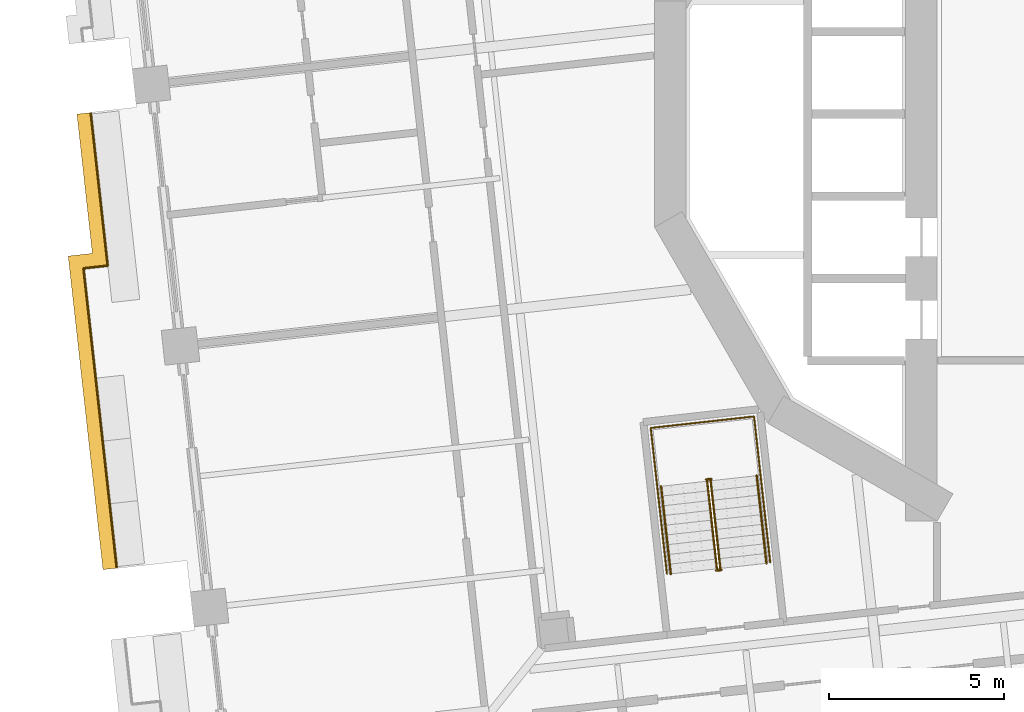
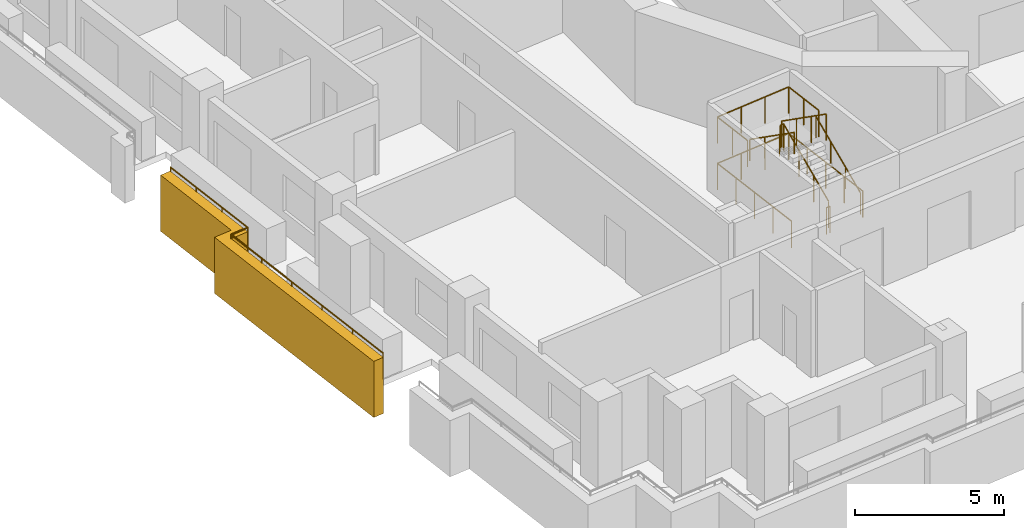
# One storey, part 12 of 18: 8 railings, 1 covering.
"""IFC4 building model written with IfcOpenShell, lengths in metres."""

from ifc_helpers import new_model, si_unit, direction, frame, origin, origin_2d, place, context, subcontext, project, spatial, polyline, circle, outline, extrude, material, type_object, element, save


model = new_model("IFC4")

# Units and contexts
model_context = context("Model", 3, precision=1e-05, world=origin(), true_north=direction((0.0, 1.0)))
body_context = subcontext(model_context, "Body", "Model", "MODEL_VIEW")
ifc_project = project(units=[si_unit("LENGTHUNIT", "METRE"), si_unit("AREAUNIT", "SQUARE_METRE"), si_unit("VOLUMEUNIT", "CUBIC_METRE"), si_unit("PLANEANGLEUNIT", "RADIAN"), si_unit("MASSUNIT", "GRAM", prefix="KILO")], contexts=[model_context])

# Site, building, storey
site_placement = place(None, origin())
site = spatial("IfcSite", under=ifc_project, at=site_placement, CompositionType="ELEMENT")
building_placement = place(site_placement, origin())
building = spatial("IfcBuilding", under=site, at=building_placement, Name="Cantera Rosa Tower", CompositionType="ELEMENT")
storey_placement = place(building_placement, frame((0.0, 0.0, 76.699951171875)))
storey = spatial("IfcBuildingStorey", under=building, at=storey_placement, Name="L16", CompositionType="ELEMENT", Elevation=76.699951171875)

# Railings
ifc_material_1 = material(Name="Stainless steel and laminated glass", Category="steel")
railing_type_1 = type_object("IfcRailingType", Name="GUARD 1100", PredefinedType="BALUSTRADE", material=ifc_material_1)
railing_1_placement = place(storey_placement, frame((-27.44482421875, -12.95654296875, 0.0)))
element("IfcRailing", 1, at=railing_1_placement, inside=storey, type_object=railing_type_1, Name="GUARD L16-2", PredefinedType="BALUSTRADE", context=body_context, shape_type="SweptSolid", body=[
    extrude(circle(Radius=0.030029296875, at=origin_2d()), frame((0.0, 0.0, 1.070068359375), z_axis=(-0.110306840876, 0.993897580667, 0.0), x_axis=(-0.993897580667, -0.110306840876, 0.0)), (0.0, 0.0, 1.0), 8.596435546875),
    extrude(circle(Radius=0.030029296875, at=origin_2d()), frame((-0.9482421875, 8.5439453125, 1.070068359375), z_axis=(0.993866597574, 0.11058565109, 0.0), x_axis=(-0.11058565109, 0.993866597574, 0.0)), (0.0, 0.0, 1.0), 0.6953125),
    extrude(circle(Radius=0.030029296875, at=origin_2d()), frame((-0.257080078125, 8.620849609375, 1.070068359375), z_axis=(-0.110333717982, 0.993894597368, 0.0), x_axis=(-0.993894597368, -0.110333717982, 0.0)), (0.0, 0.0, 1.0), 4.383544921875),
    extrude(circle(Radius=0.02490234375, at=origin_2d()), origin(), (0.0, 0.0, 1.0), 1.0400390625),
    extrude(circle(Radius=0.02490234375, at=origin_2d()), frame((-0.189697265625, 1.708740234375, 0.0)), (0.0, 0.0, 1.0), 1.0400390625),
    extrude(circle(Radius=0.02490234375, at=origin_2d()), frame((-0.37939453125, 3.41748046875, 0.0)), (0.0, 0.0, 1.0), 1.0400390625),
    extrude(circle(Radius=0.02490234375, at=origin_2d()), frame((-0.56884765625, 5.12646484375, 0.0)), (0.0, 0.0, 1.0), 1.0400390625),
    extrude(circle(Radius=0.02490234375, at=origin_2d()), frame((-0.758544921875, 6.835205078125, 0.0)), (0.0, 0.0, 1.0), 1.0400390625),
    extrude(circle(Radius=0.02490234375, at=origin_2d()), frame((-0.9482421875, 8.5439453125, 0.0)), (0.0, 0.0, 1.0), 1.0400390625),
    extrude(circle(Radius=0.02490234375, at=origin_2d()), frame((-0.257080078125, 8.620849609375, 0.0)), (0.0, 0.0, 1.0), 1.0400390625),
    extrude(circle(Radius=0.02490234375, at=origin_2d()), frame((-0.418212890625, 10.072998046875, 0.0)), (0.0, 0.0, 1.0), 1.0400390625),
    extrude(circle(Radius=0.02490234375, at=origin_2d()), frame((-0.57958984375, 11.525390625, 0.0)), (0.0, 0.0, 1.0), 1.0400390625),
    extrude(circle(Radius=0.02490234375, at=origin_2d()), frame((-0.74072265625, 12.9775390625, 0.0)), (0.0, 0.0, 1.0), 1.0400390625),
])
ifc_material_2 = material(Name="Steel S355J2 (EN 10025-2)", Category="steel")
railing_type_2 = type_object("IfcRailingType", Name="STAIR GUARD 1100", PredefinedType="GUARDRAIL", material=ifc_material_2)
railing_2_placement = place(storey_placement, frame((-10.19677734375, -12.986083984375, 0.18994140625)))
element("IfcRailing", 2, at=railing_2_placement, inside=storey, type_object=railing_type_2, Name="L16 ST-13 stair guard 1", PredefinedType="GUARDRAIL", context=body_context, shape_type="SweptSolid", body=[
    extrude(circle(Radius=0.02392578125, at=origin_2d()), frame((0.0, 0.0, 1.076171875), z_axis=(-0.091305890215, 0.822394317572, 0.561543249302), x_axis=(-0.993893182753, -0.110346460196, 0.0)), (0.0, 0.0, 1.0), 3.045654296875),
    extrude(circle(Radius=0.02392578125, at=origin_2d()), frame((-0.278076171875, 2.504638671875, 2.7861328125), z_axis=(0.360141847183, 0.932897555956, 0.0), x_axis=(-0.932897555956, 0.360141847183, 0.0)), (0.0, 0.0, 1.0), 0.05615234375),
    extrude(circle(Radius=0.02392578125, at=origin_2d()), frame((-0.2578125, 2.55712890625, 2.7861328125), z_axis=(-0.994022053584, -0.109179471459, 0.0), x_axis=(0.109179471459, -0.994022053584, 0.0)), (0.0, 0.0, 1.0), 0.14990234375),
    extrude(circle(Radius=0.02099609375, at=origin_2d()), origin(), (0.0, 0.0, 1.0), 1.052001953125),
    extrude(circle(Radius=0.02099609375, at=origin_2d()), frame((-0.0927734375, 0.8349609375, 0.570068359375)), (0.0, 0.0, 1.0), 1.052001953125),
    extrude(circle(Radius=0.02099609375, at=origin_2d()), frame((-0.185302734375, 1.669677734375, 1.14013671875)), (0.0, 0.0, 1.0), 1.052001953125),
    extrude(circle(Radius=0.02099609375, at=origin_2d()), frame((-0.278076171875, 2.504638671875, 1.710205078125)), (0.0, 0.0, 1.0), 1.052001953125),
    extrude(circle(Radius=0.02099609375, at=origin_2d()), frame((-0.2578125, 2.55712890625, 1.710205078125)), (0.0, 0.0, 1.0), 1.052001953125),
    extrude(circle(Radius=0.02099609375, at=origin_2d()), frame((-0.40673828125, 2.540771484375, 1.710205078125)), (0.0, 0.0, 1.0), 1.052001953125),
])
railing_3_placement = place(storey_placement, frame((-10.572265625, -10.4921875, 2.090087890625)))
element("IfcRailing", 3, at=railing_3_placement, inside=storey, type_object=railing_type_2, Name="L16 ST-13 stair guard 2", PredefinedType="GUARDRAIL", context=body_context, shape_type="SweptSolid", body=[
    extrude(circle(Radius=0.02392578125, at=origin_2d()), frame((0.0, 0.0, 1.076171875), z_axis=(0.091310000343, -0.822431337597, 0.561488360321), x_axis=(0.993893182753, 0.110346460196, 0.0)), (0.0, 0.0, 1.0), 3.04541015625),
    extrude(circle(Radius=0.02099609375, at=origin_2d()), origin(), (0.0, 0.0, 1.0), 1.052001953125),
    extrude(circle(Radius=0.02099609375, at=origin_2d()), frame((0.0927734375, -0.8349609375, 0.570068359375)), (0.0, 0.0, 1.0), 1.052001953125),
    extrude(circle(Radius=0.02099609375, at=origin_2d()), frame((0.185302734375, -1.669677734375, 1.139892578125)), (0.0, 0.0, 1.0), 1.052001953125),
    extrude(circle(Radius=0.02099609375, at=origin_2d()), frame((0.278076171875, -2.504638671875, 1.7099609375)), (0.0, 0.0, 1.0), 1.052001953125),
])
railing_4_placement = place(storey_placement, frame((-10.16552734375, -13.032958984375, 0.0)))
element("IfcRailing", 4, at=railing_4_placement, inside=storey, type_object=railing_type_2, Name="L16 ST-13 stair guard 3", PredefinedType="GUARDRAIL", context=body_context, shape_type="SweptSolid", body=[
    extrude(circle(Radius=0.02392578125, at=origin_2d()), frame((0.0, 0.0, 1.076171875), z_axis=(-0.994041430915, -0.1090029065, 0.0), x_axis=(0.1090029065, -0.994041430915, 0.0)), (0.0, 0.0, 1.0), 0.150146484375),
    extrude(circle(Radius=0.02099609375, at=origin_2d()), origin(), (0.0, 0.0, 1.0), 1.052001953125),
    extrude(circle(Radius=0.02099609375, at=origin_2d()), frame((-0.149169921875, -0.016357421875, 0.0)), (0.0, 0.0, 1.0), 1.052001953125),
])
railing_5_placement = place(storey_placement, frame((-8.77099609375, -12.815673828125, 0.0)))
element("IfcRailing", 5, at=railing_5_placement, inside=storey, type_object=railing_type_2, Name="L16 ST-13 stair guard 4", PredefinedType="GUARDRAIL", context=body_context, shape_type="SweptSolid", body=[
    extrude(circle(Radius=0.02392578125, at=origin_2d()), frame((0.0, 0.0, 1.076171875), z_axis=(-0.110323013767, 0.9938957856, 0.0), x_axis=(-0.9938957856, -0.110323013767, 0.0)), (0.0, 0.0, 1.0), 4.197998046875),
    extrude(circle(Radius=0.02392578125, at=origin_2d()), frame((-0.463134765625, 4.17236328125, 1.076171875), z_axis=(-0.993896759678, -0.110314237986, 0.0), x_axis=(0.110314237986, -0.993896759678, 0.0)), (0.0, 0.0, 1.0), 2.969970703125),
    extrude(circle(Radius=0.02392578125, at=origin_2d()), frame((-3.4150390625, 3.8447265625, 1.076171875), z_axis=(0.110323013767, -0.9938957856, 0.0), x_axis=(0.9938957856, 0.110323013767, 0.0)), (0.0, 0.0, 1.0), 4.197998046875),
    extrude(circle(Radius=0.02099609375, at=origin_2d()), origin(), (0.0, 0.0, 1.0), 1.052001953125),
    extrude(circle(Radius=0.02099609375, at=origin_2d()), frame((-0.11572265625, 1.04296875, 0.0)), (0.0, 0.0, 1.0), 1.052001953125),
    extrude(circle(Radius=0.02099609375, at=origin_2d()), frame((-0.2314453125, 2.086181640625, 0.0)), (0.0, 0.0, 1.0), 1.052001953125),
    extrude(circle(Radius=0.02099609375, at=origin_2d()), frame((-0.347412109375, 3.12939453125, 0.0)), (0.0, 0.0, 1.0), 1.052001953125),
    extrude(circle(Radius=0.02099609375, at=origin_2d()), frame((-0.463134765625, 4.17236328125, 0.0)), (0.0, 0.0, 1.0), 1.052001953125),
    extrude(circle(Radius=0.02099609375, at=origin_2d()), frame((-1.447021484375, 4.063232421875, 0.0)), (0.0, 0.0, 1.0), 1.052001953125),
    extrude(circle(Radius=0.02099609375, at=origin_2d()), frame((-2.43115234375, 3.953857421875, 0.0)), (0.0, 0.0, 1.0), 1.052001953125),
    extrude(circle(Radius=0.02099609375, at=origin_2d()), frame((-3.4150390625, 3.8447265625, 0.0)), (0.0, 0.0, 1.0), 1.052001953125),
    extrude(circle(Radius=0.02099609375, at=origin_2d()), frame((-3.29931640625, 2.8017578125, 0.0)), (0.0, 0.0, 1.0), 1.052001953125),
    extrude(circle(Radius=0.02099609375, at=origin_2d()), frame((-3.18359375, 1.758544921875, 0.0)), (0.0, 0.0, 1.0), 1.052001953125),
    extrude(circle(Radius=0.02099609375, at=origin_2d()), frame((-3.067626953125, 0.71533203125, 0.0)), (0.0, 0.0, 1.0), 1.052001953125),
    extrude(circle(Radius=0.02099609375, at=origin_2d()), frame((-2.951904296875, -0.32763671875, 0.0)), (0.0, 0.0, 1.0), 1.052001953125),
])
railing_6_placement = place(storey_placement, frame((-9.04638671875, -10.3349609375, 1.900146484375)))
element("IfcRailing", 6, at=railing_6_placement, inside=storey, type_object=railing_type_2, Name="L16 ST-13 stair guard 5", PredefinedType="GUARDRAIL", context=body_context, shape_type="SweptSolid", body=[
    extrude(circle(Radius=0.02392578125, at=origin_2d()), frame((0.0, 0.0, 1.076171875), z_axis=(-0.110305577623, 0.993897720867, 0.0), x_axis=(-0.993897720867, -0.110305577623, 0.0)), (0.0, 0.0, 1.0), 1.7021484375),
    extrude(circle(Radius=0.02392578125, at=origin_2d()), frame((-0.187744140625, 1.691650390625, 1.076171875), z_axis=(-0.993896759678, -0.110314237986, 0.0), x_axis=(0.110314237986, -0.993896759678, 0.0)), (0.0, 0.0, 1.0), 2.969970703125),
    extrude(circle(Radius=0.02392578125, at=origin_2d()), frame((-3.1396484375, 1.364013671875, 1.076171875), z_axis=(0.110447269257, -0.993881985305, 0.0), x_axis=(0.993881985305, 0.110447269257, 0.0)), (0.0, 0.0, 1.0), 1.7021484375),
    extrude(circle(Radius=0.02099609375, at=origin_2d()), origin(), (0.0, 0.0, 1.0), 1.052001953125),
    extrude(circle(Radius=0.02099609375, at=origin_2d()), frame((-0.09375, 0.845703125, 0.0)), (0.0, 0.0, 1.0), 1.052001953125),
    extrude(circle(Radius=0.02099609375, at=origin_2d()), frame((-0.187744140625, 1.691650390625, 0.0)), (0.0, 0.0, 1.0), 1.052001953125),
    extrude(circle(Radius=0.02099609375, at=origin_2d()), frame((-1.171630859375, 1.58251953125, 0.0)), (0.0, 0.0, 1.0), 1.052001953125),
    extrude(circle(Radius=0.02099609375, at=origin_2d()), frame((-2.15576171875, 1.47314453125, 0.0)), (0.0, 0.0, 1.0), 1.052001953125),
    extrude(circle(Radius=0.02099609375, at=origin_2d()), frame((-3.1396484375, 1.364013671875, 0.0)), (0.0, 0.0, 1.0), 1.052001953125),
    extrude(circle(Radius=0.02099609375, at=origin_2d()), frame((-3.045654296875, 0.51806640625, 0.0)), (0.0, 0.0, 1.0), 1.052001953125),
    extrude(circle(Radius=0.02099609375, at=origin_2d()), frame((-2.95166015625, -0.32763671875, 0.0)), (0.0, 0.0, 1.0), 1.052001953125),
])
ifc_material_3 = material(Name="Steel S355J2 (EN 10025-2)", Category="steel")
railing_type_3 = type_object("IfcRailingType", Name="STAIR HANDRAIL 900", PredefinedType="HANDRAIL", material=ifc_material_3)
railing_7_placement = place(storey_placement, frame((-8.87890625, -12.83984375, 0.18994140625)))
element("IfcRailing", 7, at=railing_7_placement, inside=storey, type_object=railing_type_3, Name="L16 ST-13 stair handrail 1", PredefinedType="HANDRAIL", context=body_context, shape_type="SweptSolid", body=[
    extrude(circle(Radius=0.02392578125, at=origin_2d()), frame((0.0, 0.0, 0.8759765625), z_axis=(-0.091305890215, 0.822394317572, 0.561543249302), x_axis=(-0.993893182753, -0.110346460196, 0.0)), (0.0, 0.0, 1.0), 3.045654296875),
    extrude(circle(Radius=0.02099609375, at=origin_2d()), origin(), (0.0, 0.0, 1.0), 0.851806640625),
    extrude(circle(Radius=0.02099609375, at=origin_2d()), frame((-0.0927734375, 0.8349609375, 0.570068359375)), (0.0, 0.0, 1.0), 0.851806640625),
    extrude(circle(Radius=0.02099609375, at=origin_2d()), frame((-0.185302734375, 1.669677734375, 1.14013671875)), (0.0, 0.0, 1.0), 0.851806640625),
    extrude(circle(Radius=0.02099609375, at=origin_2d()), frame((-0.278076171875, 2.504638671875, 1.710205078125)), (0.0, 0.0, 1.0), 0.851806640625),
])
railing_8_placement = place(storey_placement, frame((-11.89013671875, -10.638427734375, 2.090087890625)))
element("IfcRailing", 8, at=railing_8_placement, inside=storey, type_object=railing_type_3, Name="L16 ST-13 stair handrail 2", PredefinedType="HANDRAIL", context=body_context, shape_type="SweptSolid", body=[
    extrude(circle(Radius=0.02392578125, at=origin_2d()), frame((0.0, 0.0, 0.8759765625), z_axis=(0.091310000343, -0.822431337597, 0.561488360321), x_axis=(0.993893182753, 0.110346460196, 0.0)), (0.0, 0.0, 1.0), 3.04541015625),
    extrude(circle(Radius=0.02099609375, at=origin_2d()), origin(), (0.0, 0.0, 1.0), 0.851806640625),
    extrude(circle(Radius=0.02099609375, at=origin_2d()), frame((0.0927734375, -0.8349609375, 0.570068359375)), (0.0, 0.0, 1.0), 0.851806640625),
    extrude(circle(Radius=0.02099609375, at=origin_2d()), frame((0.185302734375, -1.669677734375, 1.139892578125)), (0.0, 0.0, 1.0), 0.851806640625),
    extrude(circle(Radius=0.02099609375, at=origin_2d()), frame((0.278076171875, -2.504638671875, 1.7099609375)), (0.0, 0.0, 1.0), 0.851806640625),
])

# Covering
ifc_material_4 = material(Name="Cantera stone", Category="masonry")
covering_type = type_object("IfcCoveringType", Name="TRAY FASCIA 400", PredefinedType="CLADDING", material=ifc_material_4)
covering_placement = place(storey_placement, frame((0.0, 0.0, -1.39990234375)))
element("IfcCovering", 9, at=covering_placement, inside=storey, type_object=covering_type, Name="TRAY FASCIA L16-01", PredefinedType="CLADDING", context=body_context, shape_type="SweptSolid", body=[
    extrude(outline(polyline([(-28.834716796875, -4.05908203125), (-28.143798828125, -3.982421875), (-28.585205078125, -0.00341796875), (-28.187744140625, 0.040771484375), (-27.701904296875, -4.335693359375), (-28.39306640625, -4.41259765625), (-27.442626953125, -12.9765625), (-27.83349609375, -13.019775390625), (-27.83447265625, -13.02001953125), (-27.83544921875, -13.020263671875), (-27.83642578125, -13.0205078125), (-27.83740234375, -13.02099609375), (-27.838134765625, -13.021484375), (-27.8388671875, -13.022216796875), (-27.839599609375, -13.022705078125), (-27.83984375, -13.02294921875), (-28.834716796875, -4.05908203125)])), origin(), (0.0, 0.0, 1.0), 2.300048828125),
])

save(model, "model.ifc")
